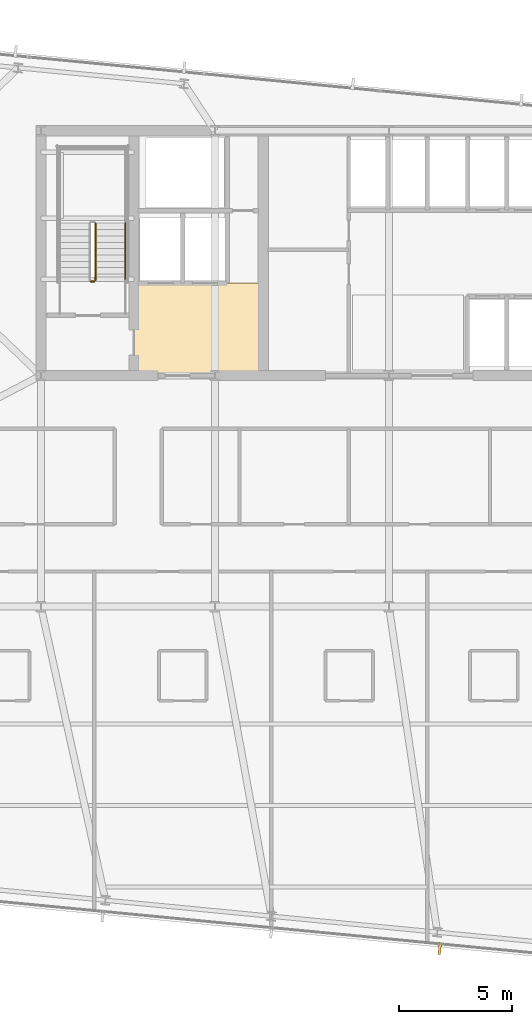
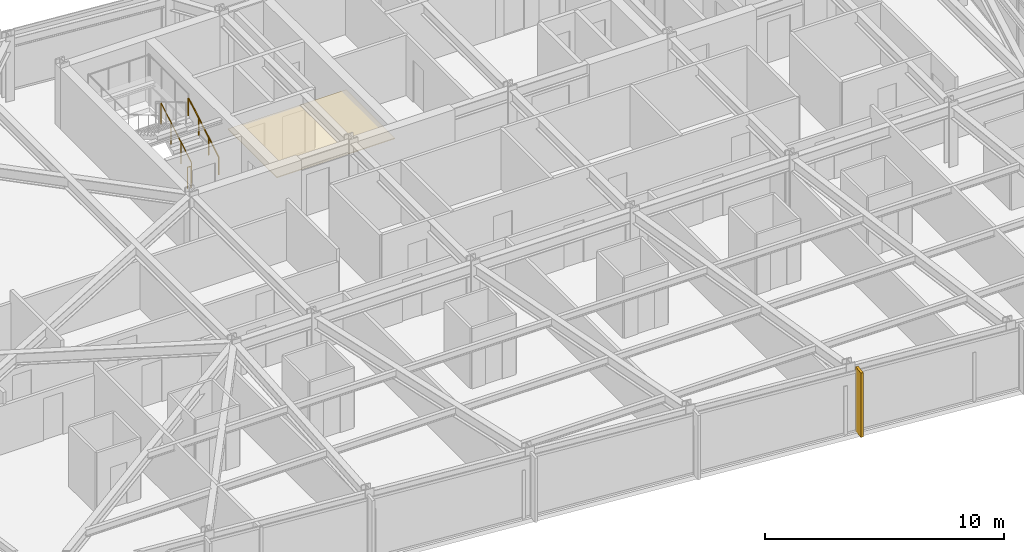
# One storey, part 34 of 38: 3 railings, 1 covering, 1 shading device.
"""IFC4 building model written with IfcOpenShell, lengths in metres."""

from ifc_helpers import new_model, si_unit, direction, frame, origin, origin_2d, place, context, subcontext, project, spatial, polyline, rectangle, circle, outline, extrude, material, layer, layer_set, type_object, element, save


model = new_model("IFC4")

# Units and contexts
model_context = context("Model", 3, precision=1e-05, world=origin(), true_north=direction((0.0, 1.0)))
body_context = subcontext(model_context, "Body", "Model", "MODEL_VIEW")
ifc_project = project(units=[si_unit("LENGTHUNIT", "METRE"), si_unit("AREAUNIT", "SQUARE_METRE"), si_unit("VOLUMEUNIT", "CUBIC_METRE"), si_unit("PLANEANGLEUNIT", "RADIAN"), si_unit("MASSUNIT", "GRAM", prefix="KILO")], contexts=[model_context])

# Site, building, storey
site_placement = place(None, origin())
site = spatial("IfcSite", under=ifc_project, at=site_placement, CompositionType="ELEMENT")
building_placement = place(site_placement, origin())
building = spatial("IfcBuilding", under=site, at=building_placement, Name="Yelkora Congress Tower", CompositionType="ELEMENT")
storey_placement = place(building_placement, frame((0.0, 0.0, 172.10009765625)))
storey = spatial("IfcBuildingStorey", under=building, at=storey_placement, Name="L47", CompositionType="ELEMENT", Elevation=172.10009765625)

# Covering
ifc_material_1 = material(Name="Perforated mineral-fibre acoustic ceiling", Category="gypsum")
ifc_layer_1 = layer(ifc_material_1, 0.0400390625)
ifc_layer_set_1 = layer_set([ifc_layer_1], Name="Perforated mineral-fibre acoustic ceiling")
covering_type = type_object("IfcCoveringType", Name="COV-CEIL-ACOUSTIC-40", PredefinedType="CEILING", material=ifc_layer_set_1)
covering_placement = place(storey_placement, frame((0.0, 0.0, 2.39990234375)))
element("IfcCovering", 1, at=covering_placement, inside=storey, type_object=covering_type, Name="L47 Firefighting Lobby Acoustic Ceiling", PredefinedType="CEILING", context=body_context, shape_type="SweptSolid", body=[
    extrude(outline(polyline([(27.14990234375, 35.39990234375), (32.85009765625, 35.39990234375), (32.85009765625, 39.47998046875), (27.14990234375, 39.47998046875), (27.14990234375, 35.39990234375)])), origin(), (0.0, 0.0, 1.0), 0.0400390625),
])

# Railings
ifc_material_2 = material(Name="Painted galvanised steel stair well guard with vertical infill", Category="steel")
ifc_layer_2 = layer(ifc_material_2, 0.06005859375)
ifc_layer_set_2 = layer_set([ifc_layer_2], Name="Painted galvanised steel stair well guard with vertical infill")
railing_type_1 = type_object("IfcRailingType", Name="RAIL-STAIR-GUARD-1120", PredefinedType="GUARDRAIL", material=ifc_layer_set_2)
railing_1_placement = place(storey_placement, frame((25.449951171875, 39.60009765625, 0.164794921875)))
element("IfcRailing", 2, at=railing_1_placement, inside=storey, type_object=railing_type_1, Name="ST-01 L47 Stair Well Guardrail 1", PredefinedType="GUARDRAIL", context=body_context, shape_type="SweptSolid", body=[
    extrude(circle(Radius=0.02392578125, at=origin_2d()), frame((0.0, 0.0, 1.09619140625), z_axis=(0.0, 0.86152411907, 0.507716645641), x_axis=(-1.0, 0.0, 0.0)), (0.0, 0.0, 1.0), 2.925048828125),
    extrude(circle(Radius=0.02099609375, at=origin_2d()), origin(), (0.0, 0.0, 1.0), 1.072021484375),
    extrude(circle(Radius=0.02099609375, at=origin_2d()), frame((0.0, 0.840087890625, 0.4951171875)), (0.0, 0.0, 1.0), 1.072021484375),
    extrude(circle(Radius=0.02099609375, at=origin_2d()), frame((0.0, 1.679931640625, 0.989990234375)), (0.0, 0.0, 1.0), 1.072021484375),
    extrude(circle(Radius=0.02099609375, at=origin_2d()), frame((0.0, 2.52001953125, 1.485107421875)), (0.0, 0.0, 1.0), 1.072021484375),
])
railing_2_placement = place(storey_placement, frame((25.39990234375, 39.550048828125, 0.0)))
element("IfcRailing", 3, at=railing_2_placement, inside=storey, type_object=railing_type_1, Name="ST-01 L47 Stair Well Guardrail 7", PredefinedType="GUARDRAIL", context=body_context, shape_type="SweptSolid", body=[
    extrude(circle(Radius=0.02392578125, at=origin_2d()), frame((0.0, 0.0, 1.09619140625), z_axis=(-1.0, 0.0, 0.0), x_axis=(0.0, -1.0, 0.0)), (0.0, 0.0, 1.0), 0.159912109375),
    extrude(circle(Radius=0.02099609375, at=origin_2d()), origin(), (0.0, 0.0, 1.0), 1.072021484375),
    extrude(circle(Radius=0.02099609375, at=origin_2d()), frame((-0.159912109375, 0.0, 0.0)), (0.0, 0.0, 1.0), 1.072021484375),
])
ifc_material_3 = material(Name="Brushed stainless steel tubular handrail", Category="steel")
ifc_layer_3 = layer(ifc_material_3, 0.050048828125)
ifc_layer_set_3 = layer_set([ifc_layer_3], Name="Brushed stainless steel tubular handrail")
railing_type_2 = type_object("IfcRailingType", Name="RAIL-STAIR-HAND-920", PredefinedType="HANDRAIL", material=ifc_layer_set_3)
railing_3_placement = place(storey_placement, frame((26.77001953125, 39.60009765625, 0.164794921875)))
element("IfcRailing", 4, at=railing_3_placement, inside=storey, type_object=railing_type_2, Name="ST-01 L47 Pitch Handrail 1", PredefinedType="HANDRAIL", context=body_context, shape_type="SweptSolid", body=[
    extrude(circle(Radius=0.02392578125, at=origin_2d()), frame((0.0, 0.0, 0.89599609375), z_axis=(0.0, 0.86152411907, 0.507716645641), x_axis=(-1.0, 0.0, 0.0)), (0.0, 0.0, 1.0), 2.925048828125),
    extrude(circle(Radius=0.02099609375, at=origin_2d()), origin(), (0.0, 0.0, 1.0), 0.871826171875),
    extrude(circle(Radius=0.02099609375, at=origin_2d()), frame((0.0, 0.840087890625, 0.4951171875)), (0.0, 0.0, 1.0), 0.871826171875),
    extrude(circle(Radius=0.02099609375, at=origin_2d()), frame((0.0, 1.679931640625, 0.989990234375)), (0.0, 0.0, 1.0), 0.871826171875),
    extrude(circle(Radius=0.02099609375, at=origin_2d()), frame((0.0, 2.52001953125, 1.485107421875)), (0.0, 0.0, 1.0), 0.871826171875),
])

# Shading device
ifc_material_4 = material(Name="Champagne anodised aluminium", Category="aluminium")
ifc_layer_4 = layer(ifc_material_4, 3.300048828125)
ifc_layer_set_4 = layer_set([ifc_layer_4], Name="Champagne anodised aluminium")
shading_device_type = type_object("IfcShadingDeviceType", Name="SHD-FIN-ALU-520", PredefinedType="USERDEFINED", material=ifc_layer_set_4)
shading_device_placement = place(storey_placement, frame((40.642333984375, 10.10791015625, -0.0302734375), z_axis=(0.0, 0.0, 1.0), x_axis=(-0.995396198367, 0.09584575252, 0.0)))
element("IfcShadingDevice", 5, at=shading_device_placement, inside=storey, type_object=shading_device_type, Name="L47 Vertical Anodised Solar Fin 20-2", ObjectType="FIN", PredefinedType="USERDEFINED", context=body_context, shape_type="SweptSolid", body=[
    extrude(rectangle(XDim=0.1201171875, YDim=0.52001953125, at=origin_2d()), origin(), (0.0, 0.0, 1.0), 3.280029296875),
])

save(model, "model.ifc")
